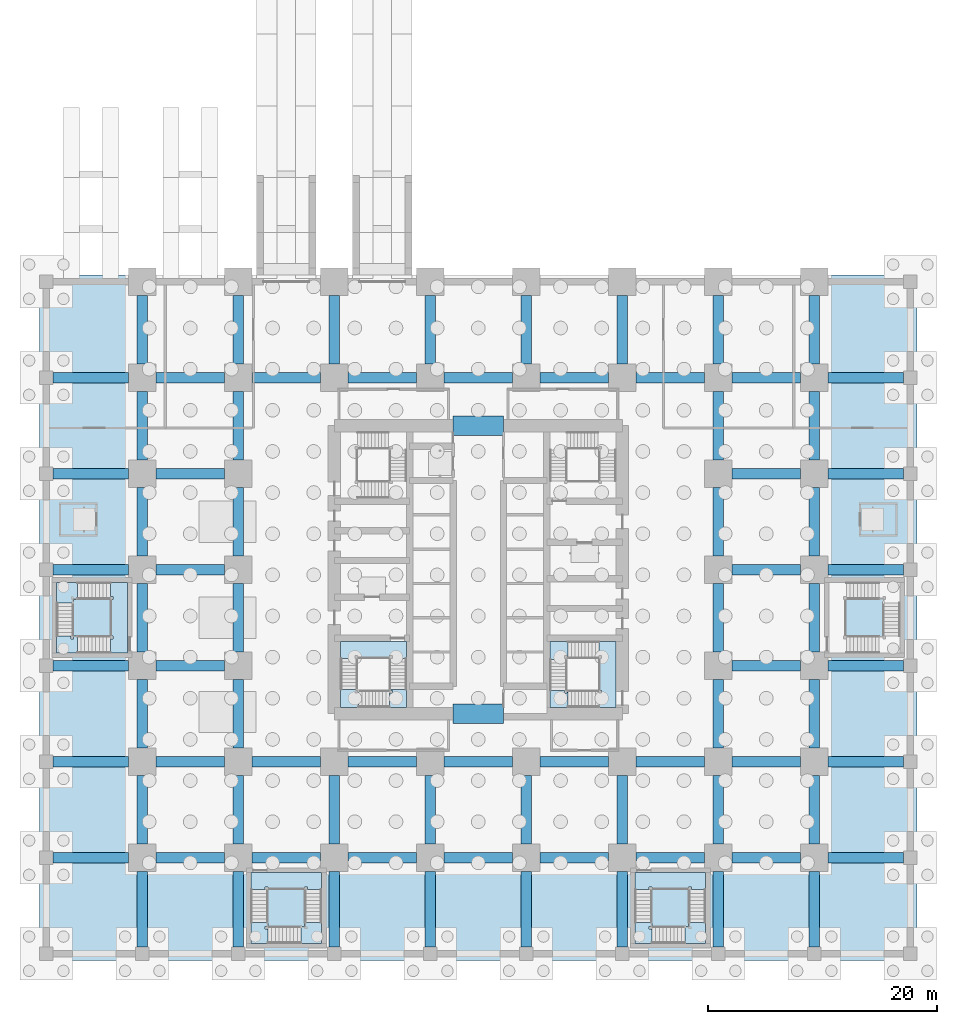
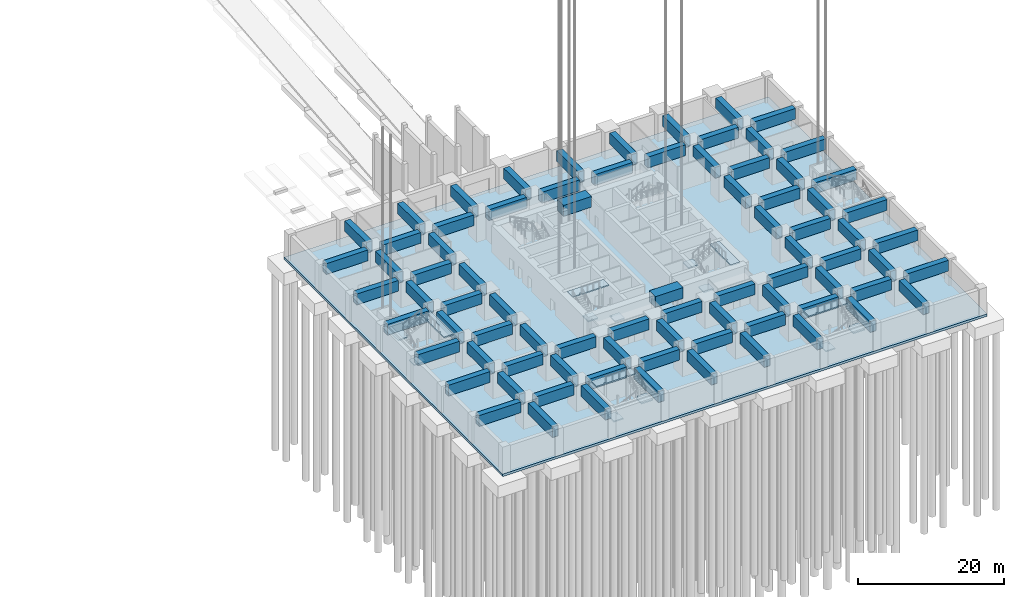
# One storey, part 6 of 28: 81 beams, 16 slabs, 5 elements without a shape of their own.
"""IFC4 building model written with IfcOpenShell, lengths in metres."""

import ifcopenshell
import ifcopenshell.guid

model = None  # the IFC model being written
_history = None  # IfcOwnerHistory: only IFC2X3 demands one
_inside = {}  # id of a spatial element -> (the spatial element, [elements in it])
_under = {}  # id of a project, library or spatial element -> (it, [spatial elements below it])
_declared = {}  # id of a project -> (the project, [libraries it declares])
_typed = {}  # id of a type object -> (the type object, [elements of that type])
_made_of = {}  # id of a material, layer set ... -> (it, [elements and type objects made of it])


def new_model(schema):
    """Start an empty IFC model of exactly this schema.

    Asked for "IFC4X3", IfcOpenShell would pick the latest addendum, in which some entities
    have other attributes; the version numbers below select the first issue.
    IFC2X3 requires an IfcOwnerHistory on every rooted entity: one is made here for all.
    """
    global model, _history
    if schema == "IFC4X3":
        model = ifcopenshell.file(schema_version=(4, 3, 0, 0))
    else:
        model = ifcopenshell.file(schema=schema)
    _inside.clear()
    _under.clear()
    _declared.clear()
    _typed.clear()
    _made_of.clear()
    _history = None
    if model.schema == "IFC2X3":
        org = make("IfcOrganization", Name="unknown")
        user = make(
            "IfcPersonAndOrganization",
            ThePerson=make("IfcPerson", FamilyName="unknown"),
            TheOrganization=org,
        )
        app = make(
            "IfcApplication",
            ApplicationDeveloper=org,
            Version="unknown",
            ApplicationFullName="unknown",
            ApplicationIdentifier="unknown",
        )
        _history = make(
            "IfcOwnerHistory",
            OwningUser=user,
            OwningApplication=app,
            ChangeAction="ADDED",
            CreationDate=0,
        )
    return model


def make(cls, **values):
    """One entity of the class cls with the attributes given. An attribute that is None is left unset."""
    return model.create_entity(
        cls, **{name: value for name, value in values.items() if value is not None}
    )


def rooted(cls, **values):
    """An entity with a GlobalId (a new one), such as an element, a storey or a relation."""
    return make(cls, GlobalId=ifcopenshell.guid.new(), OwnerHistory=_history, **values)


def si_unit(unit_type, name, prefix=None):
    """IfcSIUnit, for example si_unit("LENGTHUNIT", "METRE", prefix="MILLI")."""
    return make("IfcSIUnit", UnitType=unit_type, Prefix=prefix, Name=name)


def assignment(units):
    """IfcUnitAssignment: the units of a project."""
    return None if units is None else make("IfcUnitAssignment", Units=units)


def point(xyz):
    """IfcCartesianPoint."""
    return None if xyz is None else make("IfcCartesianPoint", Coordinates=xyz)


def direction(xyz):
    """IfcDirection."""
    return None if xyz is None else make("IfcDirection", DirectionRatios=xyz)


def frame(location, z_axis=None, x_axis=None):
    """IfcAxis2Placement3D, a coordinate frame: its origin and axes. An axis left out is left unset."""
    return make(
        "IfcAxis2Placement3D",
        Location=point(location),
        Axis=direction(z_axis),
        RefDirection=direction(x_axis),
    )


def frame_2d(location, x_axis=None):
    """IfcAxis2Placement2D, a coordinate frame in the plane: its origin and x axis."""
    return make(
        "IfcAxis2Placement2D", Location=point(location), RefDirection=direction(x_axis)
    )


def origin():
    """The frame at (0, 0, 0) with its axes left unset."""
    return frame((0.0, 0.0, 0.0))


def origin_2d():
    """The frame at (0, 0) in the plane with its x axis left unset."""
    return frame_2d((0.0, 0.0))


def place(relative_to, where):
    """IfcLocalPlacement: puts the frame where relative to a parent placement (None: the world)."""
    return make(
        "IfcLocalPlacement", PlacementRelTo=relative_to, RelativePlacement=where
    )


def context(
    kind, dimensions, precision=None, world=None, true_north=None, identifier=None
):
    """IfcGeometricRepresentationContext, for example the 3D "Model" context."""
    return make(
        "IfcGeometricRepresentationContext",
        ContextIdentifier=identifier,
        ContextType=kind,
        CoordinateSpaceDimension=dimensions,
        Precision=precision,
        WorldCoordinateSystem=world,
        TrueNorth=true_north,
    )


def subcontext(parent, identifier, kind, view, scale=None):
    """IfcGeometricRepresentationSubContext, for example "Body" below "Model"."""
    return make(
        "IfcGeometricRepresentationSubContext",
        ContextIdentifier=identifier,
        ContextType=kind,
        ParentContext=parent,
        TargetScale=scale,
        TargetView=view,
    )


def project(units=None, contexts=None):
    """IfcProject with its units and contexts."""
    return rooted(
        "IfcProject",
        Name="project",
        RepresentationContexts=contexts,
        UnitsInContext=assignment(units),
    )


def spatial(cls, under=None, at=None, **own):
    """A site, building, storey or space (cls), placed at a placement, below another one or the project."""
    s = rooted(cls, ObjectPlacement=at, **own)
    if under is not None:
        _under.setdefault(under.id(), (under, []))[1].append(s)
    return s


def polyline(points):
    """IfcPolyline through the points."""
    return make("IfcPolyline", Points=[point(p) for p in points])


def profile(cls, at=None, kind="AREA", **sizes):
    """A parametric profile (cls). Its sizes go by their IFC names, for example OverallWidth=200.0."""
    return make(cls, ProfileType=kind, Position=at, **sizes)


def rectangle(**sizes):
    """IfcRectangleProfileDef."""
    return profile("IfcRectangleProfileDef", **sizes)


def outline(outer, holes=None, kind="AREA"):
    """IfcArbitraryClosedProfileDef: a profile drawn as a closed curve; with holes, ...WithVoids."""
    if holes is None:
        return make("IfcArbitraryClosedProfileDef", ProfileType=kind, OuterCurve=outer)
    return make(
        "IfcArbitraryProfileDefWithVoids",
        ProfileType=kind,
        OuterCurve=outer,
        InnerCurves=holes,
    )


def extrude(swept, where, along, depth):
    """IfcExtrudedAreaSolid: the profile swept, set in the frame where, extruded along a direction by depth."""
    return make(
        "IfcExtrudedAreaSolid",
        SweptArea=swept,
        Position=where,
        ExtrudedDirection=direction(along),
        Depth=depth,
    )


def shape(context_of_items, identifier, shape_type, items):
    """IfcShapeRepresentation: the items that make up one representation, for example the "Body"."""
    return make(
        "IfcShapeRepresentation",
        ContextOfItems=context_of_items,
        RepresentationIdentifier=identifier,
        RepresentationType=shape_type,
        Items=items,
    )


def material(Name=None, Category=None):
    """IfcMaterial."""
    return make("IfcMaterial", Name=Name, Category=Category)


def layer(
    of_material, thickness, ventilated=None, Name=None, Category=None, Priority=None
):
    """IfcMaterialLayer: one layer of a wall or slab, of a material (None: an air gap)."""
    return make(
        "IfcMaterialLayer",
        Material=of_material,
        LayerThickness=thickness,
        IsVentilated=ventilated,
        Name=Name,
        Category=Category,
        Priority=Priority,
    )


def layer_set(layers, Name=None):
    """IfcMaterialLayerSet."""
    return make("IfcMaterialLayerSet", MaterialLayers=layers, LayerSetName=Name)


def material_profile(
    of_material, cross_section, Name=None, Category=None, Priority=None
):
    """IfcMaterialProfile: a cross section and its material."""
    return make(
        "IfcMaterialProfile",
        Name=Name,
        Material=of_material,
        Profile=cross_section,
        Priority=Priority,
        Category=Category,
    )


def profile_set(profiles, Name=None, composite=None):
    """IfcMaterialProfileSet."""
    return make(
        "IfcMaterialProfileSet",
        Name=Name,
        MaterialProfiles=profiles,
        CompositeProfile=composite,
    )


def made_of(thing, what):
    """Note that an element or type object is made of a material, layer set ...; save() writes the relation."""
    if what is not None:
        _made_of.setdefault(what.id(), (what, []))[1].append(thing)
    return thing


def type_object(cls, material=None, **own):
    """A type object (cls), such as IfcWallType, which elements share."""
    return made_of(rooted(cls, **own), material)


def element(
    cls,
    number,
    at=None,
    inside=None,
    cuts=None,
    type_object=None,
    material=None,
    context=None,
    identifier="Body",
    shape_type=None,
    held_by="IfcProductDefinitionShape",
    body=None,
    shapes=None,
    **own,
):
    """One element of the class cls, such as IfcWall. Its Tag is "e" and its number.

    at: its placement. inside: the storey or other place that contains it. cuts: it is an
    opening in that element (IfcRelVoidsElement). A single representation is given by context,
    identifier, shape_type and body (its items); several are given by shapes. held_by: the class
    of the entity that holds the representations. save() writes the other relations.
    """
    e = rooted(cls, Tag="e%d" % number, ObjectPlacement=at, **own)
    if body is not None:
        shapes = [shape(context, identifier, shape_type, body)]
    if shapes is not None:
        e.Representation = make(held_by, Representations=shapes)
    if inside is not None:
        _inside.setdefault(inside.id(), (inside, []))[1].append(e)
    if cuts is not None:
        rooted(
            "IfcRelVoidsElement", RelatingBuildingElement=cuts, RelatedOpeningElement=e
        )
    if type_object is not None:
        _typed.setdefault(type_object.id(), (type_object, []))[1].append(e)
    return made_of(e, material)


def aggregate(whole, parts):
    """IfcRelAggregates: a whole, such as a stair, and the parts it consists of."""
    return rooted("IfcRelAggregates", RelatingObject=whole, RelatedObjects=parts)


def save(model, path):
    """Write the relations noted so far, then the file.

    IfcRelAggregates (storeys below a building ...), IfcRelContainedInSpatialStructure (elements
    in a storey), IfcRelDefinesByType, IfcRelAssociatesMaterial and IfcRelDeclares: one each for
    every whole, place, type object, material and project.
    """
    for whole, parts in _under.values():
        aggregate(whole, parts)
    for where, things in _inside.values():
        rooted(
            "IfcRelContainedInSpatialStructure",
            RelatedElements=things,
            RelatingStructure=where,
        )
    for kind, things in _typed.values():
        rooted("IfcRelDefinesByType", RelatedObjects=things, RelatingType=kind)
    for what, things in _made_of.values():
        rooted("IfcRelAssociatesMaterial", RelatedObjects=things, RelatingMaterial=what)
    for by, libraries in _declared.values():
        rooted("IfcRelDeclares", RelatingContext=by, RelatedDefinitions=libraries)
    model.write(path)


model = new_model("IFC4")

# Units and contexts
model_context = context("Model", 3, precision=1e-05, world=origin(), true_north=direction((0.0, 1.0)))
body_context = subcontext(model_context, "Body", "Model", "MODEL_VIEW")
ifc_project = project(units=[si_unit("LENGTHUNIT", "METRE"), si_unit("AREAUNIT", "SQUARE_METRE"), si_unit("VOLUMEUNIT", "CUBIC_METRE"), si_unit("PLANEANGLEUNIT", "RADIAN"), si_unit("MASSUNIT", "GRAM", prefix="KILO")], contexts=[model_context])

# Site, building, storey
site_placement = place(None, origin())
site = spatial("IfcSite", under=ifc_project, at=site_placement, CompositionType="ELEMENT")
building_placement = place(site_placement, origin())
building = spatial("IfcBuilding", under=site, at=building_placement, Name="Rekha Terrace Tower", CompositionType="ELEMENT")
storey_placement = place(building_placement, frame((0.0, 0.0, -9.89990234375)))
storey = spatial("IfcBuildingStorey", under=building, at=storey_placement, Name="B-02", CompositionType="ELEMENT", Elevation=-9.89990234375)

# Beams
ifc_material_1 = material(Name="Concrete M60", Category="concrete")
ifc_material_profile_1 = material_profile(ifc_material_1, rectangle(XDim=0.89990234375, YDim=1.800048828125, at=origin_2d()), Name="RC 900x1800")
ifc_profile_set_1 = profile_set([ifc_material_profile_1], Name="Concrete M60")
beam_type_1 = type_object("IfcBeamType", Name="G1 900x1800 podium floor beam", PredefinedType="BEAM", material=ifc_profile_set_1)
for number, where, z_axis, x_axis, name in (
    (1, (0.60009765625, 8.39990234375, 3.2998046875), (1.0, 0.0, 0.0), (0.0, 1.0, 0.0), "Beam G1 1B-2B under B-01"),
    (2, (0.60009765625, 16.800048828125, 3.2998046875), (1.0, 0.0, 0.0), (0.0, 1.0, 0.0), "Beam G1 1C-2C under B-01"),
    (3, (0.60009765625, 25.199951171875, 3.2998046875), (1.0, 0.0, 0.0), (0.0, 1.0, 0.0), "Beam G1 1D-2D under B-01"),
    (4, (0.60009765625, 33.60009765625, 3.2998046875), (1.0, 0.0, 0.0), (0.0, 1.0, 0.0), "Beam G1 1E-2E under B-01"),
    (5, (0.60009765625, 42.0, 3.2998046875), (1.0, 0.0, 0.0), (0.0, 1.0, 0.0), "Beam G1 1F-2F under B-01"),
    (6, (0.60009765625, 50.39990234375, 3.2998046875), (1.0, 0.0, 0.0), (0.0, 1.0, 0.0), "Beam G1 1G-2G under B-01"),
    (7, (8.39990234375, 0.60009765625, 3.2998046875), (0.0, 1.0, 0.0), (-1.0, 0.0, 0.0), "Beam G1 2A-2B under B-01"),
):
    element("IfcBeam", number, at=place(storey_placement, frame(where, z_axis=z_axis, x_axis=x_axis)), inside=storey, type_object=beam_type_1, Name=name, PredefinedType="BEAM", context=body_context, shape_type="SweptSolid", body=[
        extrude(rectangle(XDim=0.89990234375, YDim=1.800048828125, at=origin_2d()), origin(), (0.0, 0.0, 1.0), 6.599853515625),
    ])
for number, where, z_axis, x_axis, name in (
    (8, (9.60009765625, 8.39990234375, 3.2998046875), (1.0, 0.0, 0.0), (0.0, 1.0, 0.0), "Beam G1 2B-3B under B-01"),
    (9, (8.39990234375, 9.60009765625, 3.2998046875), (0.0, 1.0, 0.0), (-1.0, 0.0, 0.0), "Beam G1 2B-2C under B-01"),
    (10, (9.60009765625, 16.800048828125, 3.2998046875), (1.0, 0.0, 0.0), (0.0, 1.0, 0.0), "Beam G1 2C-3C under B-01"),
    (11, (8.39990234375, 18.0, 3.2998046875), (0.0, 1.0, 0.0), (-1.0, 0.0, 0.0), "Beam G1 2C-2D under B-01"),
    (12, (9.60009765625, 25.199951171875, 3.2998046875), (1.0, 0.0, 0.0), (0.0, 1.0, 0.0), "Beam G1 2D-3D under B-01"),
    (13, (8.39990234375, 26.39990234375, 3.2998046875), (0.0, 1.0, 0.0), (-1.0, 0.0, 0.0), "Beam G1 2D-2E under B-01"),
    (14, (9.60009765625, 33.60009765625, 3.2998046875), (1.0, 0.0, 0.0), (0.0, 1.0, 0.0), "Beam G1 2E-3E under B-01"),
    (15, (8.39990234375, 34.800048828125, 3.2998046875), (0.0, 1.0, 0.0), (-1.0, 0.0, 0.0), "Beam G1 2E-2F under B-01"),
    (16, (9.60009765625, 42.0, 3.2998046875), (1.0, 0.0, 0.0), (0.0, 1.0, 0.0), "Beam G1 2F-3F under B-01"),
    (17, (8.39990234375, 43.199951171875, 3.2998046875), (0.0, 1.0, 0.0), (-1.0, 0.0, 0.0), "Beam G1 2F-2G under B-01"),
    (18, (9.60009765625, 50.39990234375, 3.2998046875), (1.0, 0.0, 0.0), (0.0, 1.0, 0.0), "Beam G1 2G-3G under B-01"),
    (19, (8.39990234375, 51.60009765625, 3.2998046875), (0.0, 1.0, 0.0), (-1.0, 0.0, 0.0), "Beam G1 2G-2H under B-01"),
):
    element("IfcBeam", number, at=place(storey_placement, frame(where, z_axis=z_axis, x_axis=x_axis)), inside=storey, type_object=beam_type_1, Name=name, PredefinedType="BEAM", context=body_context, shape_type="SweptSolid", body=[
        extrude(rectangle(XDim=0.89990234375, YDim=1.800048828125, at=origin_2d()), origin(), (0.0, 0.0, 1.0), 6.0),
    ])
beam_1_placement = place(storey_placement, frame((16.800048828125, 0.60009765625, 3.2998046875), z_axis=(0.0, 1.0, 0.0), x_axis=(-1.0, 0.0, 0.0)))
element("IfcBeam", 20, at=beam_1_placement, inside=storey, type_object=beam_type_1, Name="Beam G1 3A-3B under B-01", PredefinedType="BEAM", context=body_context, shape_type="SweptSolid", body=[
    extrude(rectangle(XDim=0.89990234375, YDim=1.800048828125, at=origin_2d()), origin(), (0.0, 0.0, 1.0), 6.599853515625),
])
for number, where, z_axis, x_axis, name in (
    (21, (18.0, 8.39990234375, 3.2998046875), (1.0, 0.0, 0.0), (0.0, 1.0, 0.0), "Beam G1 3B-4B under B-01"),
    (22, (16.800048828125, 9.60009765625, 3.2998046875), (0.0, 1.0, 0.0), (-1.0, 0.0, 0.0), "Beam G1 3B-3C under B-01"),
    (23, (18.0, 16.800048828125, 3.2998046875), (1.0, 0.0, 0.0), (0.0, 1.0, 0.0), "Beam G1 3C-4C under B-01"),
    (24, (16.800048828125, 18.0, 3.2998046875), (0.0, 1.0, 0.0), (-1.0, 0.0, 0.0), "Beam G1 3C-3D under B-01"),
    (25, (16.800048828125, 26.39990234375, 3.2998046875), (0.0, 1.0, 0.0), (-1.0, 0.0, 0.0), "Beam G1 3D-3E under B-01"),
    (26, (16.800048828125, 34.800048828125, 3.2998046875), (0.0, 1.0, 0.0), (-1.0, 0.0, 0.0), "Beam G1 3E-3F under B-01"),
    (27, (16.800048828125, 43.199951171875, 3.2998046875), (0.0, 1.0, 0.0), (-1.0, 0.0, 0.0), "Beam G1 3F-3G under B-01"),
    (28, (18.0, 50.39990234375, 3.2998046875), (1.0, 0.0, 0.0), (0.0, 1.0, 0.0), "Beam G1 3G-4G under B-01"),
    (29, (16.800048828125, 51.60009765625, 3.2998046875), (0.0, 1.0, 0.0), (-1.0, 0.0, 0.0), "Beam G1 3G-3H under B-01"),
):
    element("IfcBeam", number, at=place(storey_placement, frame(where, z_axis=z_axis, x_axis=x_axis)), inside=storey, type_object=beam_type_1, Name=name, PredefinedType="BEAM", context=body_context, shape_type="SweptSolid", body=[
        extrude(rectangle(XDim=0.89990234375, YDim=1.800048828125, at=origin_2d()), origin(), (0.0, 0.0, 1.0), 6.0),
    ])
beam_2_placement = place(storey_placement, frame((25.199951171875, 0.60009765625, 3.2998046875), z_axis=(0.0, 1.0, 0.0), x_axis=(-1.0, 0.0, 0.0)))
element("IfcBeam", 30, at=beam_2_placement, inside=storey, type_object=beam_type_1, Name="Beam G1 4A-4B under B-01", PredefinedType="BEAM", context=body_context, shape_type="SweptSolid", body=[
    extrude(rectangle(XDim=0.89990234375, YDim=1.800048828125, at=origin_2d()), origin(), (0.0, 0.0, 1.0), 6.599853515625),
])
for number, where, z_axis, x_axis, name in (
    (31, (26.39990234375, 8.39990234375, 3.2998046875), (1.0, 0.0, 0.0), (0.0, 1.0, 0.0), "Beam G1 4B-5B under B-01"),
    (32, (25.199951171875, 9.60009765625, 3.2998046875), (0.0, 1.0, 0.0), (-1.0, 0.0, 0.0), "Beam G1 4B-4C under B-01"),
    (33, (26.39990234375, 16.800048828125, 3.2998046875), (1.0, 0.0, 0.0), (0.0, 1.0, 0.0), "Beam G1 4C-5C under B-01"),
    (34, (26.39990234375, 50.39990234375, 3.2998046875), (1.0, 0.0, 0.0), (0.0, 1.0, 0.0), "Beam G1 4G-5G under B-01"),
    (35, (25.199951171875, 51.60009765625, 3.2998046875), (0.0, 1.0, 0.0), (-1.0, 0.0, 0.0), "Beam G1 4G-4H under B-01"),
):
    element("IfcBeam", number, at=place(storey_placement, frame(where, z_axis=z_axis, x_axis=x_axis)), inside=storey, type_object=beam_type_1, Name=name, PredefinedType="BEAM", context=body_context, shape_type="SweptSolid", body=[
        extrude(rectangle(XDim=0.89990234375, YDim=1.800048828125, at=origin_2d()), origin(), (0.0, 0.0, 1.0), 6.0),
    ])
beam_3_placement = place(storey_placement, frame((33.60009765625, 0.60009765625, 3.2998046875), z_axis=(0.0, 1.0, 0.0), x_axis=(-1.0, 0.0, 0.0)))
element("IfcBeam", 36, at=beam_3_placement, inside=storey, type_object=beam_type_1, Name="Beam G1 5A-5B under B-01", PredefinedType="BEAM", context=body_context, shape_type="SweptSolid", body=[
    extrude(rectangle(XDim=0.89990234375, YDim=1.800048828125, at=origin_2d()), origin(), (0.0, 0.0, 1.0), 6.599853515625),
])
for number, where, z_axis, x_axis, name in (
    (37, (34.800048828125, 8.39990234375, 3.2998046875), (1.0, 0.0, 0.0), (0.0, 1.0, 0.0), "Beam G1 5B-6B under B-01"),
    (38, (33.60009765625, 9.60009765625, 3.2998046875), (0.0, 1.0, 0.0), (-1.0, 0.0, 0.0), "Beam G1 5B-5C under B-01"),
    (39, (34.800048828125, 16.800048828125, 3.2998046875), (1.0, 0.0, 0.0), (0.0, 1.0, 0.0), "Beam G1 5C-6C under B-01"),
    (40, (34.800048828125, 50.39990234375, 3.2998046875), (1.0, 0.0, 0.0), (0.0, 1.0, 0.0), "Beam G1 5G-6G under B-01"),
    (41, (33.60009765625, 51.60009765625, 3.2998046875), (0.0, 1.0, 0.0), (-1.0, 0.0, 0.0), "Beam G1 5G-5H under B-01"),
):
    element("IfcBeam", number, at=place(storey_placement, frame(where, z_axis=z_axis, x_axis=x_axis)), inside=storey, type_object=beam_type_1, Name=name, PredefinedType="BEAM", context=body_context, shape_type="SweptSolid", body=[
        extrude(rectangle(XDim=0.89990234375, YDim=1.800048828125, at=origin_2d()), origin(), (0.0, 0.0, 1.0), 6.0),
    ])
beam_4_placement = place(storey_placement, frame((42.0, 0.60009765625, 3.2998046875), z_axis=(0.0, 1.0, 0.0), x_axis=(-1.0, 0.0, 0.0)))
element("IfcBeam", 42, at=beam_4_placement, inside=storey, type_object=beam_type_1, Name="Beam G1 6A-6B under B-01", PredefinedType="BEAM", context=body_context, shape_type="SweptSolid", body=[
    extrude(rectangle(XDim=0.89990234375, YDim=1.800048828125, at=origin_2d()), origin(), (0.0, 0.0, 1.0), 6.599853515625),
])
for number, where, z_axis, x_axis, name in (
    (43, (43.199951171875, 8.39990234375, 3.2998046875), (1.0, 0.0, 0.0), (0.0, 1.0, 0.0), "Beam G1 6B-7B under B-01"),
    (44, (42.0, 9.60009765625, 3.2998046875), (0.0, 1.0, 0.0), (-1.0, 0.0, 0.0), "Beam G1 6B-6C under B-01"),
    (45, (43.199951171875, 16.800048828125, 3.2998046875), (1.0, 0.0, 0.0), (0.0, 1.0, 0.0), "Beam G1 6C-7C under B-01"),
    (46, (43.199951171875, 50.39990234375, 3.2998046875), (1.0, 0.0, 0.0), (0.0, 1.0, 0.0), "Beam G1 6G-7G under B-01"),
    (47, (42.0, 51.60009765625, 3.2998046875), (0.0, 1.0, 0.0), (-1.0, 0.0, 0.0), "Beam G1 6G-6H under B-01"),
):
    element("IfcBeam", number, at=place(storey_placement, frame(where, z_axis=z_axis, x_axis=x_axis)), inside=storey, type_object=beam_type_1, Name=name, PredefinedType="BEAM", context=body_context, shape_type="SweptSolid", body=[
        extrude(rectangle(XDim=0.89990234375, YDim=1.800048828125, at=origin_2d()), origin(), (0.0, 0.0, 1.0), 6.0),
    ])
beam_5_placement = place(storey_placement, frame((50.39990234375, 0.60009765625, 3.2998046875), z_axis=(0.0, 1.0, 0.0), x_axis=(-1.0, 0.0, 0.0)))
element("IfcBeam", 48, at=beam_5_placement, inside=storey, type_object=beam_type_1, Name="Beam G1 7A-7B under B-01", PredefinedType="BEAM", context=body_context, shape_type="SweptSolid", body=[
    extrude(rectangle(XDim=0.89990234375, YDim=1.800048828125, at=origin_2d()), origin(), (0.0, 0.0, 1.0), 6.599853515625),
])
for number, where, z_axis, x_axis, name in (
    (49, (51.60009765625, 8.39990234375, 3.2998046875), (1.0, 0.0, 0.0), (0.0, 1.0, 0.0), "Beam G1 7B-8B under B-01"),
    (50, (50.39990234375, 9.60009765625, 3.2998046875), (0.0, 1.0, 0.0), (-1.0, 0.0, 0.0), "Beam G1 7B-7C under B-01"),
    (51, (51.60009765625, 16.800048828125, 3.2998046875), (1.0, 0.0, 0.0), (0.0, 1.0, 0.0), "Beam G1 7C-8C under B-01"),
    (52, (51.60009765625, 50.39990234375, 3.2998046875), (1.0, 0.0, 0.0), (0.0, 1.0, 0.0), "Beam G1 7G-8G under B-01"),
    (53, (50.39990234375, 51.60009765625, 3.2998046875), (0.0, 1.0, 0.0), (-1.0, 0.0, 0.0), "Beam G1 7G-7H under B-01"),
):
    element("IfcBeam", number, at=place(storey_placement, frame(where, z_axis=z_axis, x_axis=x_axis)), inside=storey, type_object=beam_type_1, Name=name, PredefinedType="BEAM", context=body_context, shape_type="SweptSolid", body=[
        extrude(rectangle(XDim=0.89990234375, YDim=1.800048828125, at=origin_2d()), origin(), (0.0, 0.0, 1.0), 6.0),
    ])
beam_6_placement = place(storey_placement, frame((58.800048828125, 0.60009765625, 3.2998046875), z_axis=(0.0, 1.0, 0.0), x_axis=(-1.0, 0.0, 0.0)))
element("IfcBeam", 54, at=beam_6_placement, inside=storey, type_object=beam_type_1, Name="Beam G1 8A-8B under B-01", PredefinedType="BEAM", context=body_context, shape_type="SweptSolid", body=[
    extrude(rectangle(XDim=0.89990234375, YDim=1.800048828125, at=origin_2d()), origin(), (0.0, 0.0, 1.0), 6.599853515625),
])
for number, where, z_axis, x_axis, name in (
    (55, (60.0, 8.39990234375, 3.2998046875), (1.0, 0.0, 0.0), (0.0, 1.0, 0.0), "Beam G1 8B-9B under B-01"),
    (56, (58.800048828125, 9.60009765625, 3.2998046875), (0.0, 1.0, 0.0), (-1.0, 0.0, 0.0), "Beam G1 8B-8C under B-01"),
    (57, (60.0, 16.800048828125, 3.2998046875), (1.0, 0.0, 0.0), (0.0, 1.0, 0.0), "Beam G1 8C-9C under B-01"),
    (58, (58.800048828125, 18.0, 3.2998046875), (0.0, 1.0, 0.0), (-1.0, 0.0, 0.0), "Beam G1 8C-8D under B-01"),
    (59, (60.0, 25.199951171875, 3.2998046875), (1.0, 0.0, 0.0), (0.0, 1.0, 0.0), "Beam G1 8D-9D under B-01"),
    (60, (58.800048828125, 26.39990234375, 3.2998046875), (0.0, 1.0, 0.0), (-1.0, 0.0, 0.0), "Beam G1 8D-8E under B-01"),
    (61, (60.0, 33.60009765625, 3.2998046875), (1.0, 0.0, 0.0), (0.0, 1.0, 0.0), "Beam G1 8E-9E under B-01"),
    (62, (58.800048828125, 34.800048828125, 3.2998046875), (0.0, 1.0, 0.0), (-1.0, 0.0, 0.0), "Beam G1 8E-8F under B-01"),
    (63, (60.0, 42.0, 3.2998046875), (1.0, 0.0, 0.0), (0.0, 1.0, 0.0), "Beam G1 8F-9F under B-01"),
    (64, (58.800048828125, 43.199951171875, 3.2998046875), (0.0, 1.0, 0.0), (-1.0, 0.0, 0.0), "Beam G1 8F-8G under B-01"),
    (65, (60.0, 50.39990234375, 3.2998046875), (1.0, 0.0, 0.0), (0.0, 1.0, 0.0), "Beam G1 8G-9G under B-01"),
    (66, (58.800048828125, 51.60009765625, 3.2998046875), (0.0, 1.0, 0.0), (-1.0, 0.0, 0.0), "Beam G1 8G-8H under B-01"),
):
    element("IfcBeam", number, at=place(storey_placement, frame(where, z_axis=z_axis, x_axis=x_axis)), inside=storey, type_object=beam_type_1, Name=name, PredefinedType="BEAM", context=body_context, shape_type="SweptSolid", body=[
        extrude(rectangle(XDim=0.89990234375, YDim=1.800048828125, at=origin_2d()), origin(), (0.0, 0.0, 1.0), 6.0),
    ])
beam_7_placement = place(storey_placement, frame((67.199951171875, 0.60009765625, 3.2998046875), z_axis=(0.0, 1.0, 0.0), x_axis=(-1.0, 0.0, 0.0)))
element("IfcBeam", 67, at=beam_7_placement, inside=storey, type_object=beam_type_1, Name="Beam G1 9A-9B under B-01", PredefinedType="BEAM", context=body_context, shape_type="SweptSolid", body=[
    extrude(rectangle(XDim=0.89990234375, YDim=1.800048828125, at=origin_2d()), origin(), (0.0, 0.0, 1.0), 6.599853515625),
])
beam_8_placement = place(storey_placement, frame((68.39990234375, 8.39990234375, 3.2998046875), z_axis=(1.0, 0.0, 0.0), x_axis=(0.0, 1.0, 0.0)))
element("IfcBeam", 68, at=beam_8_placement, inside=storey, type_object=beam_type_1, Name="Beam G1 9B-10B under B-01", PredefinedType="BEAM", context=body_context, shape_type="SweptSolid", body=[
    extrude(rectangle(XDim=0.89990234375, YDim=1.800048828125, at=origin_2d()), origin(), (0.0, 0.0, 1.0), 6.60009765625),
])
beam_9_placement = place(storey_placement, frame((67.199951171875, 9.60009765625, 3.2998046875), z_axis=(0.0, 1.0, 0.0), x_axis=(-1.0, 0.0, 0.0)))
element("IfcBeam", 69, at=beam_9_placement, inside=storey, type_object=beam_type_1, Name="Beam G1 9B-9C under B-01", PredefinedType="BEAM", context=body_context, shape_type="SweptSolid", body=[
    extrude(rectangle(XDim=0.89990234375, YDim=1.800048828125, at=origin_2d()), origin(), (0.0, 0.0, 1.0), 6.0),
])
beam_10_placement = place(storey_placement, frame((68.39990234375, 16.800048828125, 3.2998046875), z_axis=(1.0, 0.0, 0.0), x_axis=(0.0, 1.0, 0.0)))
element("IfcBeam", 70, at=beam_10_placement, inside=storey, type_object=beam_type_1, Name="Beam G1 9C-10C under B-01", PredefinedType="BEAM", context=body_context, shape_type="SweptSolid", body=[
    extrude(rectangle(XDim=0.89990234375, YDim=1.800048828125, at=origin_2d()), origin(), (0.0, 0.0, 1.0), 6.60009765625),
])
beam_11_placement = place(storey_placement, frame((67.199951171875, 18.0, 3.2998046875), z_axis=(0.0, 1.0, 0.0), x_axis=(-1.0, 0.0, 0.0)))
element("IfcBeam", 71, at=beam_11_placement, inside=storey, type_object=beam_type_1, Name="Beam G1 9C-9D under B-01", PredefinedType="BEAM", context=body_context, shape_type="SweptSolid", body=[
    extrude(rectangle(XDim=0.89990234375, YDim=1.800048828125, at=origin_2d()), origin(), (0.0, 0.0, 1.0), 6.0),
])
beam_12_placement = place(storey_placement, frame((68.39990234375, 25.199951171875, 3.2998046875), z_axis=(1.0, 0.0, 0.0), x_axis=(0.0, 1.0, 0.0)))
element("IfcBeam", 72, at=beam_12_placement, inside=storey, type_object=beam_type_1, Name="Beam G1 9D-10D under B-01", PredefinedType="BEAM", context=body_context, shape_type="SweptSolid", body=[
    extrude(rectangle(XDim=0.89990234375, YDim=1.800048828125, at=origin_2d()), origin(), (0.0, 0.0, 1.0), 6.60009765625),
])
beam_13_placement = place(storey_placement, frame((67.199951171875, 26.39990234375, 3.2998046875), z_axis=(0.0, 1.0, 0.0), x_axis=(-1.0, 0.0, 0.0)))
element("IfcBeam", 73, at=beam_13_placement, inside=storey, type_object=beam_type_1, Name="Beam G1 9D-9E under B-01", PredefinedType="BEAM", context=body_context, shape_type="SweptSolid", body=[
    extrude(rectangle(XDim=0.89990234375, YDim=1.800048828125, at=origin_2d()), origin(), (0.0, 0.0, 1.0), 6.0),
])
beam_14_placement = place(storey_placement, frame((68.39990234375, 33.60009765625, 3.2998046875), z_axis=(1.0, 0.0, 0.0), x_axis=(0.0, 1.0, 0.0)))
element("IfcBeam", 74, at=beam_14_placement, inside=storey, type_object=beam_type_1, Name="Beam G1 9E-10E under B-01", PredefinedType="BEAM", context=body_context, shape_type="SweptSolid", body=[
    extrude(rectangle(XDim=0.89990234375, YDim=1.800048828125, at=origin_2d()), origin(), (0.0, 0.0, 1.0), 6.60009765625),
])
beam_15_placement = place(storey_placement, frame((67.199951171875, 34.800048828125, 3.2998046875), z_axis=(0.0, 1.0, 0.0), x_axis=(-1.0, 0.0, 0.0)))
element("IfcBeam", 75, at=beam_15_placement, inside=storey, type_object=beam_type_1, Name="Beam G1 9E-9F under B-01", PredefinedType="BEAM", context=body_context, shape_type="SweptSolid", body=[
    extrude(rectangle(XDim=0.89990234375, YDim=1.800048828125, at=origin_2d()), origin(), (0.0, 0.0, 1.0), 6.0),
])
beam_16_placement = place(storey_placement, frame((68.39990234375, 42.0, 3.2998046875), z_axis=(1.0, 0.0, 0.0), x_axis=(0.0, 1.0, 0.0)))
element("IfcBeam", 76, at=beam_16_placement, inside=storey, type_object=beam_type_1, Name="Beam G1 9F-10F under B-01", PredefinedType="BEAM", context=body_context, shape_type="SweptSolid", body=[
    extrude(rectangle(XDim=0.89990234375, YDim=1.800048828125, at=origin_2d()), origin(), (0.0, 0.0, 1.0), 6.60009765625),
])
beam_17_placement = place(storey_placement, frame((67.199951171875, 43.199951171875, 3.2998046875), z_axis=(0.0, 1.0, 0.0), x_axis=(-1.0, 0.0, 0.0)))
element("IfcBeam", 77, at=beam_17_placement, inside=storey, type_object=beam_type_1, Name="Beam G1 9F-9G under B-01", PredefinedType="BEAM", context=body_context, shape_type="SweptSolid", body=[
    extrude(rectangle(XDim=0.89990234375, YDim=1.800048828125, at=origin_2d()), origin(), (0.0, 0.0, 1.0), 6.0),
])
beam_18_placement = place(storey_placement, frame((68.39990234375, 50.39990234375, 3.2998046875), z_axis=(1.0, 0.0, 0.0), x_axis=(0.0, 1.0, 0.0)))
element("IfcBeam", 78, at=beam_18_placement, inside=storey, type_object=beam_type_1, Name="Beam G1 9G-10G under B-01", PredefinedType="BEAM", context=body_context, shape_type="SweptSolid", body=[
    extrude(rectangle(XDim=0.89990234375, YDim=1.800048828125, at=origin_2d()), origin(), (0.0, 0.0, 1.0), 6.60009765625),
])
beam_19_placement = place(storey_placement, frame((67.199951171875, 51.60009765625, 3.2998046875), z_axis=(0.0, 1.0, 0.0), x_axis=(-1.0, 0.0, 0.0)))
element("IfcBeam", 79, at=beam_19_placement, inside=storey, type_object=beam_type_1, Name="Beam G1 9G-9H under B-01", PredefinedType="BEAM", context=body_context, shape_type="SweptSolid", body=[
    extrude(rectangle(XDim=0.89990234375, YDim=1.800048828125, at=origin_2d()), origin(), (0.0, 0.0, 1.0), 6.0),
])
ifc_material_2 = material(Name="Concrete M70", Category="concrete")
ifc_material_profile_2 = material_profile(ifc_material_2, rectangle(XDim=1.699951171875, YDim=1.800048828125, at=origin_2d()), Name="RC 1700x1800")
ifc_profile_set_2 = profile_set([ifc_material_profile_2], Name="Concrete M70")
beam_type_2 = type_object("IfcBeamType", Name="LB1B 1700x1800 diagonally reinforced coupling beam", PredefinedType="LINTEL", material=ifc_profile_set_2)
for number, where, z_axis, x_axis, name in (
    (80, (35.60009765625, 21.0, 3.599853515625), (1.0, 0.0, 0.0), (0.0, 1.0, 0.0), "Coupling beam LB1B S B-02"),
    (81, (35.60009765625, 46.199951171875, 3.599853515625), (1.0, 0.0, 0.0), (0.0, 1.0, 0.0), "Coupling beam LB1B N B-02"),
):
    element("IfcBeam", number, at=place(storey_placement, frame(where, z_axis=z_axis, x_axis=x_axis)), inside=storey, type_object=beam_type_2, Name=name, PredefinedType="LINTEL", context=body_context, shape_type="SweptSolid", body=[
        extrude(rectangle(XDim=1.699951171875, YDim=1.800048828125, at=origin_2d()), origin(), (0.0, 0.0, 1.0), 4.39990234375),
    ])

# Stair, slabs
ifc_material_3 = material(Name="Concrete M40", Category="concrete")
stair_type_1 = type_object("IfcStairType", Name="ST30 stair, 30 risers of 150, going 320, 1500 wide flights, 3 flights", PredefinedType="HALF_TURN_STAIR", material=ifc_material_3)
stair_1_placement = place(storey_placement, origin())
stair_1 = element("IfcStair", 82, at=stair_1_placement, inside=storey, type_object=stair_type_1, Name="Stair SP1 B-02 to B-01", PredefinedType="HALF_TURN_STAIR")
ifc_layer_1 = layer(ifc_material_3, 0.199951171875)
ifc_layer_set_1 = layer_set([ifc_layer_1], Name="Concrete M40")
slab_type_1 = type_object("IfcSlabType", Name="LD1 200 concrete stair landing", PredefinedType="LANDING", material=ifc_layer_set_1)
slab_1_placement = place(storey_placement, frame((0.0, 0.0, 1.2998046875)))
slab_1 = element("IfcSlab", 83, at=slab_1_placement, type_object=slab_type_1, Name="SP1 landing 1", PredefinedType="LANDING", context=body_context, shape_type="SweptSolid", body=[
    extrude(outline(polyline([(0.89990234375, 27.800048828125), (0.89990234375, 26.300048828125), (2.719970703125, 26.300048828125), (2.719970703125, 27.800048828125), (2.39990234375, 27.800048828125), (2.39990234375, 27.550048828125), (2.14990234375, 27.550048828125), (2.14990234375, 27.800048828125), (0.89990234375, 27.800048828125)])), origin(), (0.0, 0.0, 1.0), 0.2001953125),
])
slab_2_placement = place(storey_placement, frame((0.0, 0.0, 2.7998046875)))
slab_2 = element("IfcSlab", 84, at=slab_2_placement, type_object=slab_type_1, Name="SP1 landing 2", PredefinedType="LANDING", context=body_context, shape_type="SweptSolid", body=[
    extrude(outline(polyline([(2.719970703125, 31.0), (2.719970703125, 32.5), (0.89990234375, 32.5), (0.89990234375, 30.679931640625), (2.39990234375, 30.679931640625), (2.39990234375, 31.0), (2.719970703125, 31.0)])), origin(), (0.0, 0.0, 1.0), 0.2001953125),
])
slab_3_placement = place(storey_placement, frame((0.0, 0.0, 4.2998046875)))
slab_3 = element("IfcSlab", 85, at=slab_3_placement, type_object=slab_type_1, Name="SP1 landing 3", PredefinedType="LANDING", context=body_context, shape_type="SweptSolid", body=[
    extrude(outline(polyline([(5.60009765625, 26.300048828125), (7.10009765625, 26.300048828125), (7.10009765625, 32.5), (5.60009765625, 32.5), (5.60009765625, 31.25), (5.85009765625, 31.25), (5.85009765625, 31.0), (5.60009765625, 31.0), (5.60009765625, 27.800048828125), (5.85009765625, 27.800048828125), (5.85009765625, 27.550048828125), (5.60009765625, 27.550048828125), (5.60009765625, 26.300048828125)])), origin(), (0.0, 0.0, 1.0), 0.2001953125),
])
aggregate(stair_1, [slab_1, slab_2, slab_3])

stair_2_placement = place(storey_placement, origin())
stair_2 = element("IfcStair", 86, at=stair_2_placement, inside=storey, type_object=stair_type_1, Name="Stair SP3 B-02 to B-01", PredefinedType="HALF_TURN_STAIR")
slab_4_placement = place(storey_placement, frame((0.0, 0.0, 1.2998046875)))
slab_4 = element("IfcSlab", 87, at=slab_4_placement, type_object=slab_type_1, Name="SP3 landing 1", PredefinedType="LANDING", context=body_context, shape_type="SweptSolid", body=[
    extrude(outline(polyline([(19.39990234375, 0.89990234375), (17.89990234375, 0.89990234375), (17.89990234375, 2.719970703125), (19.39990234375, 2.719970703125), (19.39990234375, 2.39990234375), (19.14990234375, 2.39990234375), (19.14990234375, 2.14990234375), (19.39990234375, 2.14990234375), (19.39990234375, 0.89990234375)])), origin(), (0.0, 0.0, 1.0), 0.2001953125),
])
slab_5_placement = place(storey_placement, frame((0.0, 0.0, 2.7998046875)))
slab_5 = element("IfcSlab", 88, at=slab_5_placement, type_object=slab_type_1, Name="SP3 landing 2", PredefinedType="LANDING", context=body_context, shape_type="SweptSolid", body=[
    extrude(outline(polyline([(22.60009765625, 2.719970703125), (24.10009765625, 2.719970703125), (24.10009765625, 0.89990234375), (22.280029296875, 0.89990234375), (22.280029296875, 2.39990234375), (22.60009765625, 2.39990234375), (22.60009765625, 2.719970703125)])), origin(), (0.0, 0.0, 1.0), 0.2001953125),
])
slab_6_placement = place(storey_placement, frame((0.0, 0.0, 4.2998046875)))
slab_6 = element("IfcSlab", 89, at=slab_6_placement, type_object=slab_type_1, Name="SP3 landing 3", PredefinedType="LANDING", context=body_context, shape_type="SweptSolid", body=[
    extrude(outline(polyline([(17.89990234375, 5.60009765625), (17.89990234375, 7.10009765625), (24.10009765625, 7.10009765625), (24.10009765625, 5.60009765625), (22.85009765625, 5.60009765625), (22.85009765625, 5.85009765625), (22.60009765625, 5.85009765625), (22.60009765625, 5.60009765625), (19.39990234375, 5.60009765625), (19.39990234375, 5.85009765625), (19.14990234375, 5.85009765625), (19.14990234375, 5.60009765625), (17.89990234375, 5.60009765625)])), origin(), (0.0, 0.0, 1.0), 0.2001953125),
])
aggregate(stair_2, [slab_4, slab_5, slab_6])

stair_3_placement = place(storey_placement, origin())
stair_3 = element("IfcStair", 90, at=stair_3_placement, inside=storey, type_object=stair_type_1, Name="Stair SP4 B-02 to B-01", PredefinedType="HALF_TURN_STAIR")
slab_7_placement = place(storey_placement, frame((0.0, 0.0, 1.2998046875)))
slab_7 = element("IfcSlab", 91, at=slab_7_placement, type_object=slab_type_1, Name="SP4 landing 1", PredefinedType="LANDING", context=body_context, shape_type="SweptSolid", body=[
    extrude(outline(polyline([(53.0, 0.89990234375), (51.5, 0.89990234375), (51.5, 2.719970703125), (53.0, 2.719970703125), (53.0, 2.39990234375), (52.75, 2.39990234375), (52.75, 2.14990234375), (53.0, 2.14990234375), (53.0, 0.89990234375)])), origin(), (0.0, 0.0, 1.0), 0.2001953125),
])
slab_8_placement = place(storey_placement, frame((0.0, 0.0, 2.7998046875)))
slab_8 = element("IfcSlab", 92, at=slab_8_placement, type_object=slab_type_1, Name="SP4 landing 2", PredefinedType="LANDING", context=body_context, shape_type="SweptSolid", body=[
    extrude(outline(polyline([(56.199951171875, 2.719970703125), (57.699951171875, 2.719970703125), (57.699951171875, 0.89990234375), (55.8798828125, 0.89990234375), (55.8798828125, 2.39990234375), (56.199951171875, 2.39990234375), (56.199951171875, 2.719970703125)])), origin(), (0.0, 0.0, 1.0), 0.2001953125),
])
slab_9_placement = place(storey_placement, frame((0.0, 0.0, 4.2998046875)))
slab_9 = element("IfcSlab", 93, at=slab_9_placement, type_object=slab_type_1, Name="SP4 landing 3", PredefinedType="LANDING", context=body_context, shape_type="SweptSolid", body=[
    extrude(outline(polyline([(51.5, 5.60009765625), (51.5, 7.10009765625), (57.699951171875, 7.10009765625), (57.699951171875, 5.60009765625), (56.449951171875, 5.60009765625), (56.449951171875, 5.85009765625), (56.199951171875, 5.85009765625), (56.199951171875, 5.60009765625), (53.0, 5.60009765625), (53.0, 5.85009765625), (52.75, 5.85009765625), (52.75, 5.60009765625), (51.5, 5.60009765625)])), origin(), (0.0, 0.0, 1.0), 0.2001953125),
])
aggregate(stair_3, [slab_7, slab_8, slab_9])

stair_type_2 = type_object("IfcStairType", Name="ST30 stair, 30 risers of 150, going 300, 1500 wide flights, 3 flights", PredefinedType="HALF_TURN_STAIR", material=ifc_material_3)
stair_4_placement = place(storey_placement, origin())
stair_4 = element("IfcStair", 94, at=stair_4_placement, inside=storey, type_object=stair_type_2, Name="Stair ST1 B-02 to B-01", PredefinedType="HALF_TURN_STAIR")
slab_10_placement = place(storey_placement, frame((0.0, 0.0, 1.2998046875)))
slab_10 = element("IfcSlab", 95, at=slab_10_placement, type_object=slab_type_1, Name="ST1 landing 1", PredefinedType="LANDING", context=body_context, shape_type="SweptSolid", body=[
    extrude(outline(polyline([(30.02490234375, 21.550048828125), (31.52490234375, 21.550048828125), (31.52490234375, 23.125), (30.02490234375, 23.125), (30.02490234375, 23.050048828125), (30.27490234375, 23.050048828125), (30.27490234375, 22.800048828125), (30.02490234375, 22.800048828125), (30.02490234375, 21.550048828125)])), origin(), (0.0, 0.0, 1.0), 0.2001953125),
])
slab_11_placement = place(storey_placement, frame((0.0, 0.0, 2.7998046875)))
slab_11 = element("IfcSlab", 96, at=slab_11_placement, type_object=slab_type_1, Name="ST1 landing 2", PredefinedType="LANDING", context=body_context, shape_type="SweptSolid", body=[
    extrude(outline(polyline([(27.25, 23.125), (25.75, 23.125), (25.75, 21.550048828125), (27.324951171875, 21.550048828125), (27.324951171875, 23.050048828125), (27.25, 23.050048828125), (27.25, 23.125)])), origin(), (0.0, 0.0, 1.0), 0.2001953125),
])
slab_12_placement = place(storey_placement, frame((0.0, 0.0, 4.2998046875)))
slab_12 = element("IfcSlab", 97, at=slab_12_placement, type_object=slab_type_1, Name="ST1 landing 3", PredefinedType="LANDING", context=body_context, shape_type="SweptSolid", body=[
    extrude(outline(polyline([(31.52490234375, 25.824951171875), (31.52490234375, 27.324951171875), (25.75, 27.324951171875), (25.75, 25.824951171875), (27.0, 25.824951171875), (27.0, 26.074951171875), (27.25, 26.074951171875), (27.25, 25.824951171875), (30.02490234375, 25.824951171875), (30.02490234375, 26.074951171875), (30.27490234375, 26.074951171875), (30.27490234375, 25.824951171875), (31.52490234375, 25.824951171875)])), origin(), (0.0, 0.0, 1.0), 0.2001953125),
])
aggregate(stair_4, [slab_10, slab_11, slab_12])

stair_5_placement = place(storey_placement, origin())
stair_5 = element("IfcStair", 98, at=stair_5_placement, inside=storey, type_object=stair_type_2, Name="Stair ST3 B-02 to B-01", PredefinedType="HALF_TURN_STAIR")
slab_13_placement = place(storey_placement, frame((0.0, 0.0, 1.2998046875)))
slab_13 = element("IfcSlab", 99, at=slab_13_placement, type_object=slab_type_1, Name="ST3 landing 1", PredefinedType="LANDING", context=body_context, shape_type="SweptSolid", body=[
    extrude(outline(polyline([(44.074951171875, 23.050048828125), (44.074951171875, 21.550048828125), (45.64990234375, 21.550048828125), (45.64990234375, 23.050048828125), (45.574951171875, 23.050048828125), (45.574951171875, 22.800048828125), (45.324951171875, 22.800048828125), (45.324951171875, 23.050048828125), (44.074951171875, 23.050048828125)])), origin(), (0.0, 0.0, 1.0), 0.2001953125),
])
slab_14_placement = place(storey_placement, frame((0.0, 0.0, 2.7998046875)))
slab_14 = element("IfcSlab", 100, at=slab_14_placement, type_object=slab_type_1, Name="ST3 landing 2", PredefinedType="LANDING", context=body_context, shape_type="SweptSolid", body=[
    extrude(outline(polyline([(45.64990234375, 25.824951171875), (45.64990234375, 27.324951171875), (44.074951171875, 27.324951171875), (44.074951171875, 25.75), (45.574951171875, 25.75), (45.574951171875, 25.824951171875), (45.64990234375, 25.824951171875)])), origin(), (0.0, 0.0, 1.0), 0.2001953125),
])
slab_15_placement = place(storey_placement, frame((0.0, 0.0, 4.2998046875)))
slab_15 = element("IfcSlab", 101, at=slab_15_placement, type_object=slab_type_1, Name="ST3 landing 3", PredefinedType="LANDING", context=body_context, shape_type="SweptSolid", body=[
    extrude(outline(polyline([(48.35009765625, 21.550048828125), (49.85009765625, 21.550048828125), (49.85009765625, 27.324951171875), (48.35009765625, 27.324951171875), (48.35009765625, 26.074951171875), (48.60009765625, 26.074951171875), (48.60009765625, 25.824951171875), (48.35009765625, 25.824951171875), (48.35009765625, 23.050048828125), (48.60009765625, 23.050048828125), (48.60009765625, 22.800048828125), (48.35009765625, 22.800048828125), (48.35009765625, 21.550048828125)])), origin(), (0.0, 0.0, 1.0), 0.2001953125),
])
aggregate(stair_5, [slab_13, slab_14, slab_15])

# Slab
ifc_material_4 = material(Name="Concrete M50", Category="concrete")
ifc_layer_2 = layer(ifc_material_4, 0.39990234375)
ifc_layer_set_2 = layer_set([ifc_layer_2], Name="Concrete M50")
slab_type_2 = type_object("IfcSlabType", Name="SL1 400 base slab", PredefinedType="BASESLAB", material=ifc_layer_set_2)
slab_16_placement = place(storey_placement, frame((0.0, 0.0, -0.400146484375)))
element("IfcSlab", 102, at=slab_16_placement, inside=storey, type_object=slab_type_2, Name="Base slab B-02", PredefinedType="BASESLAB", context=body_context, shape_type="SweptSolid", body=[
    extrude(outline(polyline([(-0.60009765625, -0.60009765625), (76.199951171875, -0.60009765625), (76.199951171875, 59.39990234375), (-0.60009765625, 59.39990234375), (-0.60009765625, -0.60009765625)])), origin(), (0.0, 0.0, 1.0), 0.400146484375),
])

save(model, "model.ifc")
